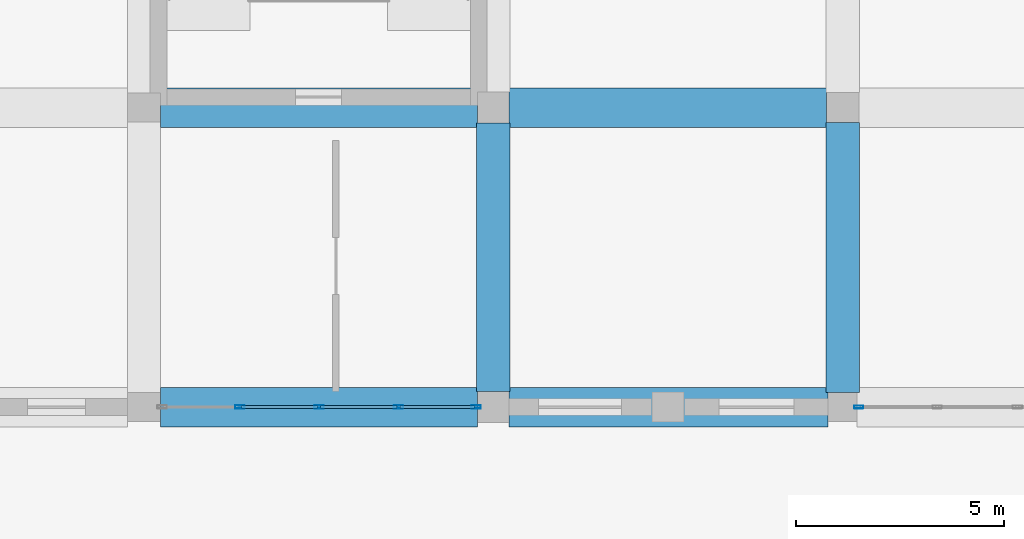
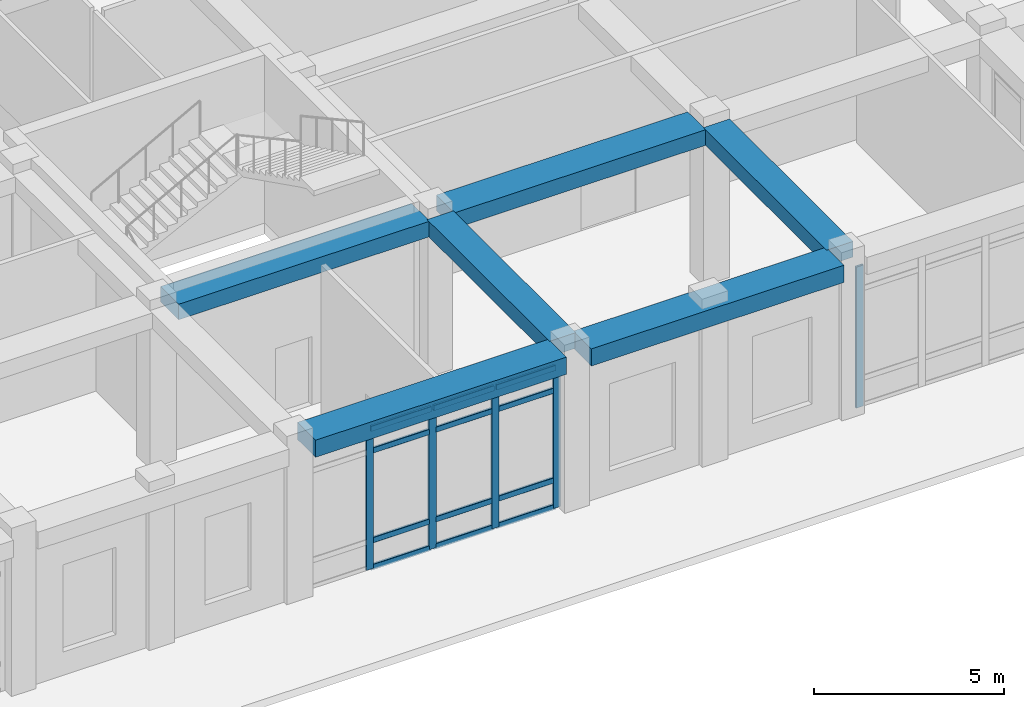
# One storey, part 42 of 84: 17 members, 6 beams, 2 elements without a shape of their own.
"""IFC4 building model written with IfcOpenShell, lengths in metres."""

import ifcopenshell
import ifcopenshell.guid

model = None  # the IFC model being written
_history = None  # IfcOwnerHistory: only IFC2X3 demands one
_inside = {}  # id of a spatial element -> (the spatial element, [elements in it])
_under = {}  # id of a project, library or spatial element -> (it, [spatial elements below it])
_declared = {}  # id of a project -> (the project, [libraries it declares])
_typed = {}  # id of a type object -> (the type object, [elements of that type])
_made_of = {}  # id of a material, layer set ... -> (it, [elements and type objects made of it])


def new_model(schema):
    """Start an empty IFC model of exactly this schema.

    Asked for "IFC4X3", IfcOpenShell would pick the latest addendum, in which some entities
    have other attributes; the version numbers below select the first issue.
    IFC2X3 requires an IfcOwnerHistory on every rooted entity: one is made here for all.
    """
    global model, _history
    if schema == "IFC4X3":
        model = ifcopenshell.file(schema_version=(4, 3, 0, 0))
    else:
        model = ifcopenshell.file(schema=schema)
    _inside.clear()
    _under.clear()
    _declared.clear()
    _typed.clear()
    _made_of.clear()
    _history = None
    if model.schema == "IFC2X3":
        org = make("IfcOrganization", Name="unknown")
        user = make(
            "IfcPersonAndOrganization",
            ThePerson=make("IfcPerson", FamilyName="unknown"),
            TheOrganization=org,
        )
        app = make(
            "IfcApplication",
            ApplicationDeveloper=org,
            Version="unknown",
            ApplicationFullName="unknown",
            ApplicationIdentifier="unknown",
        )
        _history = make(
            "IfcOwnerHistory",
            OwningUser=user,
            OwningApplication=app,
            ChangeAction="ADDED",
            CreationDate=0,
        )
    return model


def make(cls, **values):
    """One entity of the class cls with the attributes given. An attribute that is None is left unset."""
    return model.create_entity(
        cls, **{name: value for name, value in values.items() if value is not None}
    )


def rooted(cls, **values):
    """An entity with a GlobalId (a new one), such as an element, a storey or a relation."""
    return make(cls, GlobalId=ifcopenshell.guid.new(), OwnerHistory=_history, **values)


def si_unit(unit_type, name, prefix=None):
    """IfcSIUnit, for example si_unit("LENGTHUNIT", "METRE", prefix="MILLI")."""
    return make("IfcSIUnit", UnitType=unit_type, Prefix=prefix, Name=name)


def derived_unit(unit_type, elements):
    """IfcDerivedUnit: a product of units, each with its exponent."""
    return make(
        "IfcDerivedUnit",
        Elements=[
            make("IfcDerivedUnitElement", Unit=unit, Exponent=power)
            for unit, power in elements
        ],
        UnitType=unit_type,
    )


def assignment(units):
    """IfcUnitAssignment: the units of a project."""
    return None if units is None else make("IfcUnitAssignment", Units=units)


def point(xyz):
    """IfcCartesianPoint."""
    return None if xyz is None else make("IfcCartesianPoint", Coordinates=xyz)


def direction(xyz):
    """IfcDirection."""
    return None if xyz is None else make("IfcDirection", DirectionRatios=xyz)


def frame(location, z_axis=None, x_axis=None):
    """IfcAxis2Placement3D, a coordinate frame: its origin and axes. An axis left out is left unset."""
    return make(
        "IfcAxis2Placement3D",
        Location=point(location),
        Axis=direction(z_axis),
        RefDirection=direction(x_axis),
    )


def frame_2d(location, x_axis=None):
    """IfcAxis2Placement2D, a coordinate frame in the plane: its origin and x axis."""
    return make(
        "IfcAxis2Placement2D", Location=point(location), RefDirection=direction(x_axis)
    )


def origin():
    """The frame at (0, 0, 0) with its axes left unset."""
    return frame((0.0, 0.0, 0.0))


def origin_2d():
    """The frame at (0, 0) in the plane with its x axis left unset."""
    return frame_2d((0.0, 0.0))


def place(relative_to, where):
    """IfcLocalPlacement: puts the frame where relative to a parent placement (None: the world)."""
    return make(
        "IfcLocalPlacement", PlacementRelTo=relative_to, RelativePlacement=where
    )


def context(
    kind, dimensions, precision=None, world=None, true_north=None, identifier=None
):
    """IfcGeometricRepresentationContext, for example the 3D "Model" context."""
    return make(
        "IfcGeometricRepresentationContext",
        ContextIdentifier=identifier,
        ContextType=kind,
        CoordinateSpaceDimension=dimensions,
        Precision=precision,
        WorldCoordinateSystem=world,
        TrueNorth=true_north,
    )


def subcontext(parent, identifier, kind, view, scale=None):
    """IfcGeometricRepresentationSubContext, for example "Body" below "Model"."""
    return make(
        "IfcGeometricRepresentationSubContext",
        ContextIdentifier=identifier,
        ContextType=kind,
        ParentContext=parent,
        TargetScale=scale,
        TargetView=view,
    )


def project(units=None, contexts=None):
    """IfcProject with its units and contexts."""
    return rooted(
        "IfcProject",
        Name="project",
        RepresentationContexts=contexts,
        UnitsInContext=assignment(units),
    )


def spatial(cls, under=None, at=None, **own):
    """A site, building, storey or space (cls), placed at a placement, below another one or the project."""
    s = rooted(cls, ObjectPlacement=at, **own)
    if under is not None:
        _under.setdefault(under.id(), (under, []))[1].append(s)
    return s


def profile(cls, at=None, kind="AREA", **sizes):
    """A parametric profile (cls). Its sizes go by their IFC names, for example OverallWidth=200.0."""
    return make(cls, ProfileType=kind, Position=at, **sizes)


def rectangle(**sizes):
    """IfcRectangleProfileDef."""
    return profile("IfcRectangleProfileDef", **sizes)


def hollow_rectangle(**sizes):
    """IfcRectangleHollowProfileDef."""
    return profile("IfcRectangleHollowProfileDef", **sizes)


def extrude(swept, where, along, depth):
    """IfcExtrudedAreaSolid: the profile swept, set in the frame where, extruded along a direction by depth."""
    return make(
        "IfcExtrudedAreaSolid",
        SweptArea=swept,
        Position=where,
        ExtrudedDirection=direction(along),
        Depth=depth,
    )


def shape(context_of_items, identifier, shape_type, items):
    """IfcShapeRepresentation: the items that make up one representation, for example the "Body"."""
    return make(
        "IfcShapeRepresentation",
        ContextOfItems=context_of_items,
        RepresentationIdentifier=identifier,
        RepresentationType=shape_type,
        Items=items,
    )


def material(Name=None, Category=None):
    """IfcMaterial."""
    return make("IfcMaterial", Name=Name, Category=Category)


def material_profile(
    of_material, cross_section, Name=None, Category=None, Priority=None
):
    """IfcMaterialProfile: a cross section and its material."""
    return make(
        "IfcMaterialProfile",
        Name=Name,
        Material=of_material,
        Profile=cross_section,
        Priority=Priority,
        Category=Category,
    )


def profile_set(profiles, Name=None, composite=None):
    """IfcMaterialProfileSet."""
    return make(
        "IfcMaterialProfileSet",
        Name=Name,
        MaterialProfiles=profiles,
        CompositeProfile=composite,
    )


def made_of(thing, what):
    """Note that an element or type object is made of a material, layer set ...; save() writes the relation."""
    if what is not None:
        _made_of.setdefault(what.id(), (what, []))[1].append(thing)
    return thing


def type_object(cls, material=None, **own):
    """A type object (cls), such as IfcWallType, which elements share."""
    return made_of(rooted(cls, **own), material)


def element(
    cls,
    number,
    at=None,
    inside=None,
    cuts=None,
    type_object=None,
    material=None,
    context=None,
    identifier="Body",
    shape_type=None,
    held_by="IfcProductDefinitionShape",
    body=None,
    shapes=None,
    **own,
):
    """One element of the class cls, such as IfcWall. Its Tag is "e" and its number.

    at: its placement. inside: the storey or other place that contains it. cuts: it is an
    opening in that element (IfcRelVoidsElement). A single representation is given by context,
    identifier, shape_type and body (its items); several are given by shapes. held_by: the class
    of the entity that holds the representations. save() writes the other relations.
    """
    e = rooted(cls, Tag="e%d" % number, ObjectPlacement=at, **own)
    if body is not None:
        shapes = [shape(context, identifier, shape_type, body)]
    if shapes is not None:
        e.Representation = make(held_by, Representations=shapes)
    if inside is not None:
        _inside.setdefault(inside.id(), (inside, []))[1].append(e)
    if cuts is not None:
        rooted(
            "IfcRelVoidsElement", RelatingBuildingElement=cuts, RelatedOpeningElement=e
        )
    if type_object is not None:
        _typed.setdefault(type_object.id(), (type_object, []))[1].append(e)
    return made_of(e, material)


def aggregate(whole, parts):
    """IfcRelAggregates: a whole, such as a stair, and the parts it consists of."""
    return rooted("IfcRelAggregates", RelatingObject=whole, RelatedObjects=parts)


def save(model, path):
    """Write the relations noted so far, then the file.

    IfcRelAggregates (storeys below a building ...), IfcRelContainedInSpatialStructure (elements
    in a storey), IfcRelDefinesByType, IfcRelAssociatesMaterial and IfcRelDeclares: one each for
    every whole, place, type object, material and project.
    """
    for whole, parts in _under.values():
        aggregate(whole, parts)
    for where, things in _inside.values():
        rooted(
            "IfcRelContainedInSpatialStructure",
            RelatedElements=things,
            RelatingStructure=where,
        )
    for kind, things in _typed.values():
        rooted("IfcRelDefinesByType", RelatedObjects=things, RelatingType=kind)
    for what, things in _made_of.values():
        rooted("IfcRelAssociatesMaterial", RelatedObjects=things, RelatingMaterial=what)
    for by, libraries in _declared.values():
        rooted("IfcRelDeclares", RelatingContext=by, RelatedDefinitions=libraries)
    model.write(path)


model = new_model("IFC4")

# Units and contexts
model_context = context("Model", 3, precision=1e-05, world=origin(), true_north=direction((0.0, 1.0)))
body_context = subcontext(model_context, "Body", "Model", "MODEL_VIEW")
ifc_project = project(units=[si_unit("LENGTHUNIT", "METRE"), si_unit("AREAUNIT", "SQUARE_METRE"), si_unit("VOLUMEUNIT", "CUBIC_METRE"), si_unit("PLANEANGLEUNIT", "RADIAN"), si_unit("MASSUNIT", "GRAM", prefix="KILO"), derived_unit("THERMALTRANSMITTANCEUNIT", [(si_unit("POWERUNIT", "WATT"), 1), (si_unit("LENGTHUNIT", "METRE"), -2), (si_unit("THERMODYNAMICTEMPERATUREUNIT", "KELVIN"), -1)])], contexts=[model_context])

# Site, building, storey
site_placement = place(None, origin())
site = spatial("IfcSite", under=ifc_project, at=site_placement, CompositionType="ELEMENT")
building_placement = place(site_placement, origin())
building = spatial("IfcBuilding", under=site, at=building_placement, Name="Veybourne Emporium", CompositionType="ELEMENT")
storey_placement = place(building_placement, origin())
storey = spatial("IfcBuildingStorey", under=building, at=storey_placement, Name="L00", CompositionType="ELEMENT", Elevation=0.0)

# Curtain wall, member
ifc_material_1 = material(Name="Patinated Architectural Bronze", Category="bronze")
curtain_wall_type_1 = type_object("IfcCurtainWallType", Name="CWSystem_CWS-17", PredefinedType="NOTDEFINED", material=ifc_material_1)
curtain_wall_1_placement = place(storey_placement, origin())
curtain_wall_1 = element("IfcCurtainWall", 1, at=curtain_wall_1_placement, inside=storey, type_object=curtain_wall_type_1, Name="L00 bronze glazed curtain wall CWS-17 (070)", PredefinedType="NOTDEFINED")
ifc_material_profile_1 = material_profile(ifc_material_1, hollow_rectangle(XDim=0.072021484375, YDim=0.22509765625, WallThickness=0.0048828125, InnerFilletRadius=0.007568359375, OuterFilletRadius=0.012451171875, at=origin_2d()), Name="CWM 72x225x5")
ifc_profile_set_1 = profile_set([ifc_material_profile_1], Name="Patinated Architectural Bronze")
member_type_1 = type_object("IfcMemberType", Name="CWMullion_CW-M1", PredefinedType="MULLION", material=ifc_profile_set_1)
member_1_placement = place(storey_placement, frame((143.18603515625, 0.0, 0.0), z_axis=(0.0, 0.0, 1.0), x_axis=(0.0, -1.0, 0.0)))
member_1 = element("IfcMember", 2, at=member_1_placement, type_object=member_type_1, Name="CWS-17 mullion 5", PredefinedType="MULLION", context=body_context, shape_type="SweptSolid", body=[
    extrude(hollow_rectangle(XDim=0.072021484375, YDim=0.22509765625, WallThickness=0.0048828125, InnerFilletRadius=0.007568359375, OuterFilletRadius=0.012451171875, at=origin_2d()), origin(), (0.0, 0.0, 1.0), 4.530029296875),
])
aggregate(curtain_wall_1, [member_1])

# Curtain wall, members
curtain_wall_type_2 = type_object("IfcCurtainWallType", Name="CWSystem_CWS-14", PredefinedType="NOTDEFINED", material=ifc_material_1)
curtain_wall_2_placement = place(storey_placement, origin())
curtain_wall_2 = element("IfcCurtainWall", 3, at=curtain_wall_2_placement, inside=storey, type_object=curtain_wall_type_2, Name="L00 bronze glazed curtain wall CWS-14 (065)", PredefinedType="NOTDEFINED")
ifc_material_profile_2 = material_profile(ifc_material_1, hollow_rectangle(XDim=0.074951171875, YDim=0.22998046875, WallThickness=0.0048828125, InnerFilletRadius=0.007568359375, OuterFilletRadius=0.012451171875, at=origin_2d()), Name="CWM 75x230x5")
ifc_profile_set_2 = profile_set([ifc_material_profile_2], Name="Patinated Architectural Bronze")
member_type_2 = type_object("IfcMemberType", Name="CWMullion_CW-M2", PredefinedType="MULLION", material=ifc_profile_set_2)
member_2_placement = place(storey_placement, frame((133.987548828125, 0.0, 0.0), z_axis=(0.0, 0.0, 1.0), x_axis=(0.0, -1.0, 0.0)))
member_2 = element("IfcMember", 4, at=member_2_placement, type_object=member_type_2, Name="CWS-14 mullion 1", PredefinedType="MULLION", context=body_context, shape_type="SweptSolid", body=[
    extrude(hollow_rectangle(XDim=0.074951171875, YDim=0.22998046875, WallThickness=0.0048828125, InnerFilletRadius=0.007568359375, OuterFilletRadius=0.012451171875, at=origin_2d()), origin(), (0.0, 0.0, 1.0), 4.530029296875),
])
member_3_placement = place(storey_placement, frame((132.11865234375, 0.0, 0.0), z_axis=(0.0, 0.0, 1.0), x_axis=(0.0, -1.0, 0.0)))
member_3 = element("IfcMember", 5, at=member_3_placement, type_object=member_type_2, Name="CWS-14 mullion 2", PredefinedType="MULLION", context=body_context, shape_type="SweptSolid", body=[
    extrude(hollow_rectangle(XDim=0.074951171875, YDim=0.22998046875, WallThickness=0.0048828125, InnerFilletRadius=0.007568359375, OuterFilletRadius=0.012451171875, at=origin_2d()), origin(), (0.0, 0.0, 1.0), 4.530029296875),
])
member_4_placement = place(storey_placement, frame((130.21240234375, 0.0, 0.0), z_axis=(0.0, 0.0, 1.0), x_axis=(0.0, -1.0, 0.0)))
member_4 = element("IfcMember", 6, at=member_4_placement, type_object=member_type_2, Name="CWS-14 mullion 3", PredefinedType="MULLION", context=body_context, shape_type="SweptSolid", body=[
    extrude(hollow_rectangle(XDim=0.074951171875, YDim=0.22998046875, WallThickness=0.0048828125, InnerFilletRadius=0.007568359375, OuterFilletRadius=0.012451171875, at=origin_2d()), origin(), (0.0, 0.0, 1.0), 4.530029296875),
])
member_5_placement = place(storey_placement, frame((128.30615234375, 0.0, 0.0), z_axis=(0.0, 0.0, 1.0), x_axis=(0.0, -1.0, 0.0)))
member_5 = element("IfcMember", 7, at=member_5_placement, type_object=member_type_2, Name="CWS-14 mullion 4", PredefinedType="MULLION", context=body_context, shape_type="SweptSolid", body=[
    extrude(hollow_rectangle(XDim=0.074951171875, YDim=0.22998046875, WallThickness=0.0048828125, InnerFilletRadius=0.007568359375, OuterFilletRadius=0.012451171875, at=origin_2d()), origin(), (0.0, 0.0, 1.0), 4.530029296875),
])
ifc_material_profile_3 = material_profile(ifc_material_1, hollow_rectangle(XDim=0.074951171875, YDim=0.179931640625, WallThickness=0.0048828125, InnerFilletRadius=0.007568359375, OuterFilletRadius=0.012451171875, at=origin_2d()), Name="CWT 75x180x5")
ifc_profile_set_3 = profile_set([ifc_material_profile_3], Name="Patinated Architectural Bronze")
member_type_3 = type_object("IfcMemberType", Name="CWTransom_CW-T2", PredefinedType="NOTDEFINED", material=ifc_profile_set_3)
member_6_placement = place(storey_placement, frame((133.949951171875, 0.0, 0.03759765625), z_axis=(-1.0, 0.0, 0.0), x_axis=(0.0, -1.0, 0.0)))
member_6 = element("IfcMember", 8, at=member_6_placement, type_object=member_type_3, Name="CWS-14 transom 1.1", ObjectType="TRANSOM", PredefinedType="USERDEFINED", context=body_context, shape_type="SweptSolid", body=[
    extrude(hollow_rectangle(XDim=0.074951171875, YDim=0.179931640625, WallThickness=0.0048828125, InnerFilletRadius=0.007568359375, OuterFilletRadius=0.012451171875, at=origin_2d()), origin(), (0.0, 0.0, 1.0), 1.793701171875),
])
member_7_placement = place(storey_placement, frame((133.949951171875, 0.0, 0.89990234375), z_axis=(-1.0, 0.0, 0.0), x_axis=(0.0, -1.0, 0.0)))
member_7 = element("IfcMember", 9, at=member_7_placement, type_object=member_type_3, Name="CWS-14 transom 1.2", ObjectType="TRANSOM", PredefinedType="USERDEFINED", context=body_context, shape_type="SweptSolid", body=[
    extrude(hollow_rectangle(XDim=0.074951171875, YDim=0.179931640625, WallThickness=0.0048828125, InnerFilletRadius=0.007568359375, OuterFilletRadius=0.012451171875, at=origin_2d()), origin(), (0.0, 0.0, 1.0), 1.793701171875),
])
member_8_placement = place(storey_placement, frame((133.949951171875, 0.0, 3.780029296875), z_axis=(-1.0, 0.0, 0.0), x_axis=(0.0, -1.0, 0.0)))
member_8 = element("IfcMember", 10, at=member_8_placement, type_object=member_type_3, Name="CWS-14 transom 1.3", ObjectType="TRANSOM", PredefinedType="USERDEFINED", context=body_context, shape_type="SweptSolid", body=[
    extrude(hollow_rectangle(XDim=0.074951171875, YDim=0.179931640625, WallThickness=0.0048828125, InnerFilletRadius=0.007568359375, OuterFilletRadius=0.012451171875, at=origin_2d()), origin(), (0.0, 0.0, 1.0), 1.793701171875),
])
member_9_placement = place(storey_placement, frame((133.949951171875, 0.0, 4.492431640625), z_axis=(-1.0, 0.0, 0.0), x_axis=(0.0, -1.0, 0.0)))
member_9 = element("IfcMember", 11, at=member_9_placement, type_object=member_type_3, Name="CWS-14 transom 1.4", ObjectType="TRANSOM", PredefinedType="USERDEFINED", context=body_context, shape_type="SweptSolid", body=[
    extrude(hollow_rectangle(XDim=0.074951171875, YDim=0.179931640625, WallThickness=0.0048828125, InnerFilletRadius=0.007568359375, OuterFilletRadius=0.012451171875, at=origin_2d()), origin(), (0.0, 0.0, 1.0), 1.793701171875),
])
member_10_placement = place(storey_placement, frame((132.081298828125, 0.0, 0.03759765625), z_axis=(-1.0, 0.0, 0.0), x_axis=(0.0, -1.0, 0.0)))
member_10 = element("IfcMember", 12, at=member_10_placement, type_object=member_type_3, Name="CWS-14 transom 2.1", ObjectType="TRANSOM", PredefinedType="USERDEFINED", context=body_context, shape_type="SweptSolid", body=[
    extrude(hollow_rectangle(XDim=0.074951171875, YDim=0.179931640625, WallThickness=0.0048828125, InnerFilletRadius=0.007568359375, OuterFilletRadius=0.012451171875, at=origin_2d()), origin(), (0.0, 0.0, 1.0), 1.831298828125),
])
member_11_placement = place(storey_placement, frame((132.081298828125, 0.0, 0.89990234375), z_axis=(-1.0, 0.0, 0.0), x_axis=(0.0, -1.0, 0.0)))
member_11 = element("IfcMember", 13, at=member_11_placement, type_object=member_type_3, Name="CWS-14 transom 2.2", ObjectType="TRANSOM", PredefinedType="USERDEFINED", context=body_context, shape_type="SweptSolid", body=[
    extrude(hollow_rectangle(XDim=0.074951171875, YDim=0.179931640625, WallThickness=0.0048828125, InnerFilletRadius=0.007568359375, OuterFilletRadius=0.012451171875, at=origin_2d()), origin(), (0.0, 0.0, 1.0), 1.831298828125),
])
member_12_placement = place(storey_placement, frame((132.081298828125, 0.0, 3.780029296875), z_axis=(-1.0, 0.0, 0.0), x_axis=(0.0, -1.0, 0.0)))
member_12 = element("IfcMember", 14, at=member_12_placement, type_object=member_type_3, Name="CWS-14 transom 2.3", ObjectType="TRANSOM", PredefinedType="USERDEFINED", context=body_context, shape_type="SweptSolid", body=[
    extrude(hollow_rectangle(XDim=0.074951171875, YDim=0.179931640625, WallThickness=0.0048828125, InnerFilletRadius=0.007568359375, OuterFilletRadius=0.012451171875, at=origin_2d()), origin(), (0.0, 0.0, 1.0), 1.831298828125),
])
member_13_placement = place(storey_placement, frame((132.081298828125, 0.0, 4.492431640625), z_axis=(-1.0, 0.0, 0.0), x_axis=(0.0, -1.0, 0.0)))
member_13 = element("IfcMember", 15, at=member_13_placement, type_object=member_type_3, Name="CWS-14 transom 2.4", ObjectType="TRANSOM", PredefinedType="USERDEFINED", context=body_context, shape_type="SweptSolid", body=[
    extrude(hollow_rectangle(XDim=0.074951171875, YDim=0.179931640625, WallThickness=0.0048828125, InnerFilletRadius=0.007568359375, OuterFilletRadius=0.012451171875, at=origin_2d()), origin(), (0.0, 0.0, 1.0), 1.831298828125),
])
member_14_placement = place(storey_placement, frame((130.175048828125, 0.0, 0.03759765625), z_axis=(-1.0, 0.0, 0.0), x_axis=(0.0, -1.0, 0.0)))
member_14 = element("IfcMember", 16, at=member_14_placement, type_object=member_type_3, Name="CWS-14 transom 3.1", ObjectType="TRANSOM", PredefinedType="USERDEFINED", context=body_context, shape_type="SweptSolid", body=[
    extrude(hollow_rectangle(XDim=0.074951171875, YDim=0.179931640625, WallThickness=0.0048828125, InnerFilletRadius=0.007568359375, OuterFilletRadius=0.012451171875, at=origin_2d()), origin(), (0.0, 0.0, 1.0), 1.831298828125),
])
member_15_placement = place(storey_placement, frame((130.175048828125, 0.0, 0.89990234375), z_axis=(-1.0, 0.0, 0.0), x_axis=(0.0, -1.0, 0.0)))
member_15 = element("IfcMember", 17, at=member_15_placement, type_object=member_type_3, Name="CWS-14 transom 3.2", ObjectType="TRANSOM", PredefinedType="USERDEFINED", context=body_context, shape_type="SweptSolid", body=[
    extrude(hollow_rectangle(XDim=0.074951171875, YDim=0.179931640625, WallThickness=0.0048828125, InnerFilletRadius=0.007568359375, OuterFilletRadius=0.012451171875, at=origin_2d()), origin(), (0.0, 0.0, 1.0), 1.831298828125),
])
member_16_placement = place(storey_placement, frame((130.175048828125, 0.0, 3.780029296875), z_axis=(-1.0, 0.0, 0.0), x_axis=(0.0, -1.0, 0.0)))
member_16 = element("IfcMember", 18, at=member_16_placement, type_object=member_type_3, Name="CWS-14 transom 3.3", ObjectType="TRANSOM", PredefinedType="USERDEFINED", context=body_context, shape_type="SweptSolid", body=[
    extrude(hollow_rectangle(XDim=0.074951171875, YDim=0.179931640625, WallThickness=0.0048828125, InnerFilletRadius=0.007568359375, OuterFilletRadius=0.012451171875, at=origin_2d()), origin(), (0.0, 0.0, 1.0), 1.831298828125),
])
member_17_placement = place(storey_placement, frame((130.175048828125, 0.0, 4.492431640625), z_axis=(-1.0, 0.0, 0.0), x_axis=(0.0, -1.0, 0.0)))
member_17 = element("IfcMember", 19, at=member_17_placement, type_object=member_type_3, Name="CWS-14 transom 3.4", ObjectType="TRANSOM", PredefinedType="USERDEFINED", context=body_context, shape_type="SweptSolid", body=[
    extrude(hollow_rectangle(XDim=0.074951171875, YDim=0.179931640625, WallThickness=0.0048828125, InnerFilletRadius=0.007568359375, OuterFilletRadius=0.012451171875, at=origin_2d()), origin(), (0.0, 0.0, 1.0), 1.831298828125),
])
aggregate(curtain_wall_2, [member_2, member_3, member_4, member_5, member_6, member_7, member_8, member_9, member_10, member_11, member_12, member_13, member_14, member_15, member_16, member_17])

# Beams
ifc_material_2 = material(Name="Concrete C32/40", Category="concrete")
ifc_material_profile_4 = material_profile(ifc_material_2, rectangle(XDim=0.949951171875, YDim=0.5, at=origin_2d()), Name="RC 950x500")
ifc_profile_set_4 = profile_set([ifc_material_profile_4], Name="Concrete C32/40")
beam_type_1 = type_object("IfcBeamType", Name="RCBeam_BB-01", PredefinedType="BEAM", material=ifc_profile_set_4)
beam_1_placement = place(storey_placement, frame((126.39990234375, 7.199951171875, 4.830078125), z_axis=(1.0, 0.0, 0.0), x_axis=(0.0, 1.0, 0.0)))
element("IfcBeam", 20, at=beam_1_placement, inside=storey, type_object=beam_type_1, Name="L00 X-grid beam BB-01 (15,1)", PredefinedType="BEAM", context=body_context, shape_type="SweptSolid", body=[
    extrude(rectangle(XDim=0.949951171875, YDim=0.5, at=origin_2d()), origin(), (0.0, 0.0, 1.0), 7.625),
])
beam_2_placement = place(storey_placement, frame((134.77490234375, 7.199951171875, 4.830078125), z_axis=(1.0, 0.0, 0.0), x_axis=(0.0, 1.0, 0.0)))
element("IfcBeam", 21, at=beam_2_placement, inside=storey, type_object=beam_type_1, Name="L00 X-grid beam BB-01 (16,1)", PredefinedType="BEAM", context=body_context, shape_type="SweptSolid", body=[
    extrude(rectangle(XDim=0.949951171875, YDim=0.5, at=origin_2d()), origin(), (0.0, 0.0, 1.0), 7.635009765625),
])
ifc_material_profile_5 = material_profile(ifc_material_2, rectangle(XDim=0.800048828125, YDim=0.5, at=origin_2d()), Name="RC 800x500")
ifc_profile_set_5 = profile_set([ifc_material_profile_5], Name="Concrete C32/40")
beam_type_2 = type_object("IfcBeamType", Name="RCBeam_BB-02", PredefinedType="BEAM", material=ifc_profile_set_5)
beam_3_placement = place(storey_placement, frame((134.39990234375, 0.375, 4.830078125), z_axis=(0.0, 1.0, 0.0), x_axis=(-1.0, 0.0, 0.0)))
element("IfcBeam", 22, at=beam_3_placement, inside=storey, type_object=beam_type_2, Name="L00 Y-grid beam BB-02 (16,0)", PredefinedType="BEAM", context=body_context, shape_type="SweptSolid", body=[
    extrude(rectangle(XDim=0.800048828125, YDim=0.5, at=origin_2d()), origin(), (0.0, 0.0, 1.0), 6.449951171875),
])
beam_4_placement = place(storey_placement, frame((142.800048828125, 0.35009765625, 4.830078125), z_axis=(0.0, 1.0, 0.0), x_axis=(-1.0, 0.0, 0.0)))
element("IfcBeam", 23, at=beam_4_placement, inside=storey, type_object=beam_type_2, Name="L00 Y-grid beam BB-02 (17,0)", PredefinedType="BEAM", context=body_context, shape_type="SweptSolid", body=[
    extrude(rectangle(XDim=0.800048828125, YDim=0.5, at=origin_2d()), origin(), (0.0, 0.0, 1.0), 6.489990234375),
])
ifc_material_profile_6 = material_profile(ifc_material_2, rectangle(XDim=0.949951171875, YDim=0.550048828125, at=origin_2d()), Name="RC 950x550")
ifc_profile_set_6 = profile_set([ifc_material_profile_6], Name="Concrete C32/40")
beam_type_3 = type_object("IfcBeamType", Name="RCBeam_EB-01", PredefinedType="SPANDREL", material=ifc_profile_set_6)
beam_5_placement = place(storey_placement, frame((126.39990234375, 0.0, 4.804931640625), z_axis=(1.0, 0.0, 0.0), x_axis=(0.0, 1.0, 0.0)))
element("IfcBeam", 24, at=beam_5_placement, inside=storey, type_object=beam_type_3, Name="L00 X-grid beam EB-01 (15,0)", PredefinedType="SPANDREL", context=body_context, shape_type="SweptSolid", body=[
    extrude(rectangle(XDim=0.949951171875, YDim=0.550048828125, at=origin_2d()), origin(), (0.0, 0.0, 1.0), 7.625),
])
beam_6_placement = place(storey_placement, frame((134.77490234375, 0.0, 4.804931640625), z_axis=(1.0, 0.0, 0.0), x_axis=(0.0, 1.0, 0.0)))
element("IfcBeam", 25, at=beam_6_placement, inside=storey, type_object=beam_type_3, Name="L00 X-grid beam EB-01 (16,0)", PredefinedType="SPANDREL", context=body_context, shape_type="SweptSolid", body=[
    extrude(rectangle(XDim=0.949951171875, YDim=0.550048828125, at=origin_2d()), origin(), (0.0, 0.0, 1.0), 7.675048828125),
])

save(model, "model.ifc")
